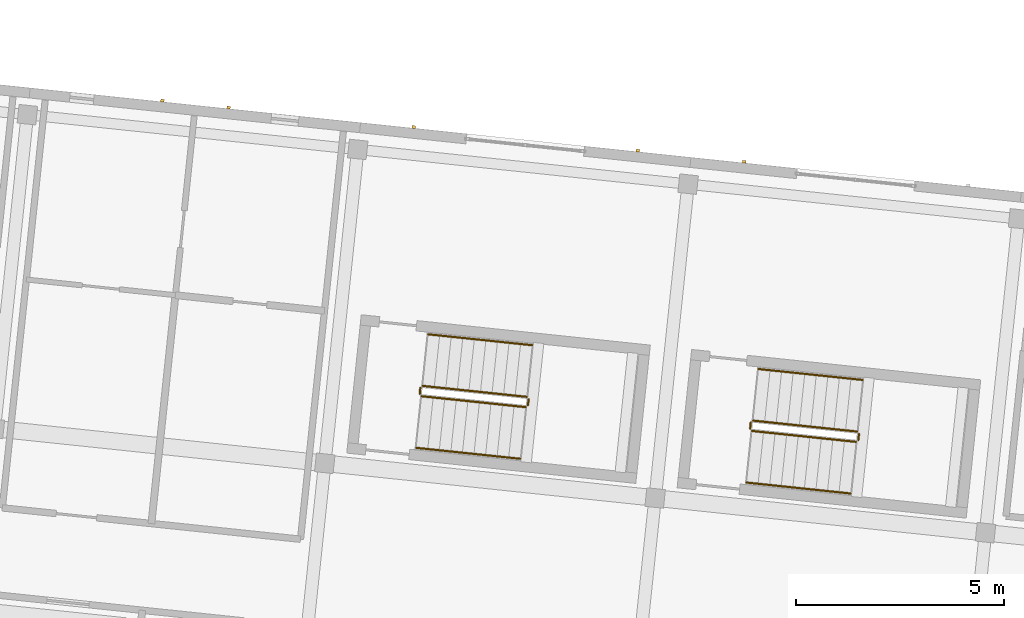
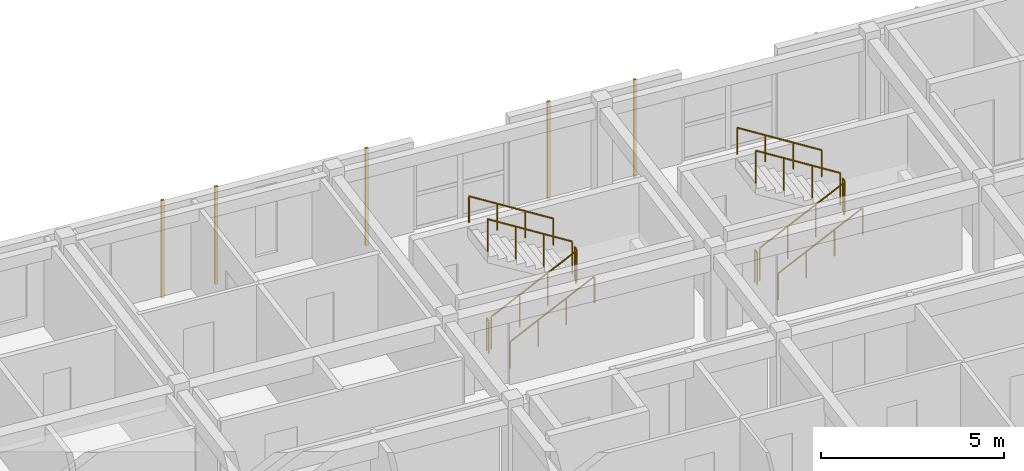
# One storey, part 55 of 56: 12 railings, 5 coverings.
"""IFC4 building model written with IfcOpenShell, lengths in metres."""

from ifc_helpers import new_model, si_unit, direction, frame, origin, origin_2d, place, context, subcontext, project, spatial, rectangle, circle, extrude, material, layer, layer_set, type_object, element, save


model = new_model("IFC4")

# Units and contexts
model_context = context("Model", 3, precision=1e-05, world=origin(), true_north=direction((0.0, 1.0)))
body_context = subcontext(model_context, "Body", "Model", "MODEL_VIEW")
ifc_project = project(units=[si_unit("LENGTHUNIT", "METRE"), si_unit("AREAUNIT", "SQUARE_METRE"), si_unit("VOLUMEUNIT", "CUBIC_METRE"), si_unit("PLANEANGLEUNIT", "RADIAN"), si_unit("MASSUNIT", "GRAM", prefix="KILO")], contexts=[model_context])

# Site, building, storey
site_placement = place(None, origin())
site = spatial("IfcSite", under=ifc_project, at=site_placement, CompositionType="ELEMENT")
building_placement = place(site_placement, origin())
building = spatial("IfcBuilding", under=site, at=building_placement, Name="Kestramere Prow Commons", CompositionType="ELEMENT")
storey_placement = place(building_placement, frame((0.0, 0.0, 27.89990234375)))
storey = spatial("IfcBuildingStorey", under=building, at=storey_placement, Name="L08", CompositionType="ELEMENT", Elevation=27.89990234375)

# Coverings
ifc_material_1 = material(Name="Weathered Zinc-Titanium Standing-Seam Cladding")
ifc_layer = layer(ifc_material_1, 0.074951171875)
ifc_layer_set = layer_set([ifc_layer], Name="Weathered Zinc-Titanium Standing-Seam Cladding")
covering_type = type_object("IfcCoveringType", Name="COV-CLAD-SEAM", PredefinedType="CLADDING", material=ifc_layer_set)
for number, where, z_axis, x_axis, name in (
    (1, (131.21435546875, 112.95947265625, -0.25), (0.0, 0.0, 1.0), (0.994521895368, -0.104528463268, 0.0), "EW-B-L08-N-2 Standing-Seam Rib 2"),
    (2, (132.8056640625, 112.792236328125, -0.25), (0.0, 0.0, 1.0), (0.994521895368, -0.104528463268, 0.0), "EW-B-L08-N-2 Standing-Seam Rib 3"),
    (3, (137.2685546875, 112.3232421875, -0.25), (0.0, 0.0, 1.0), (0.994521895368, -0.104528463268, 0.0), "EW-B-L08-NP-3-L Standing-Seam Rib 1"),
    (4, (142.663818359375, 111.756103515625, -0.25), (0.0, 0.0, 1.0), (0.994521895368, -0.104528463268, 0.0), "EW-B-L08-NP-3-R Standing-Seam Rib 1"),
    (5, (145.224609375, 111.48681640625, -0.25), (0.0, 0.0, 1.0), (0.994521895368, -0.104528463268, 0.0), "EW-B-L08-NP-4-L Standing-Seam Rib 1"),
):
    element("IfcCovering", number, at=place(storey_placement, frame(where, z_axis=z_axis, x_axis=x_axis)), inside=storey, type_object=covering_type, Name=name, PredefinedType="CLADDING", context=body_context, shape_type="SweptSolid", body=[
        extrude(rectangle(XDim=0.0849609375, YDim=0.06494140625, at=origin_2d()), origin(), (0.0, 0.0, 1.0), 3.25),
    ])

# Railings
ifc_material_2 = material(Name="Galvanised Steel S275JR", Category="steel")
railing_type_1 = type_object("IfcRailingType", Name="RL-ST-GR-1100", PredefinedType="GUARDRAIL", material=ifc_material_2)
railing_1_placement = place(storey_placement, frame((137.454345703125, 105.8408203125, 0.16259765625)))
element("IfcRailing", 6, at=railing_1_placement, inside=storey, type_object=railing_type_1, Name="L08 ST-B1 stair guard 1", PredefinedType="GUARDRAIL", context=body_context, shape_type="SweptSolid", body=[
    extrude(circle(Radius=0.02392578125, at=origin_2d()), frame((0.0, 0.0, 1.076171875), z_axis=(0.860186756994, -0.09040926464, 0.501901293044), x_axis=(0.104528455675, 0.994521896166, 0.0)), (0.0, 0.0, 1.0), 2.913818359375),
    extrude(circle(Radius=0.02099609375, at=origin_2d()), origin(), (0.0, 0.0, 1.0), 1.052001953125),
    extrude(circle(Radius=0.02099609375, at=origin_2d()), frame((0.83544921875, -0.087890625, 0.487548828125)), (0.0, 0.0, 1.0), 1.052001953125),
    extrude(circle(Radius=0.02099609375, at=origin_2d()), frame((1.6708984375, -0.175537109375, 0.974853515625)), (0.0, 0.0, 1.0), 1.052001953125),
    extrude(circle(Radius=0.02099609375, at=origin_2d()), frame((2.50634765625, -0.263427734375, 1.46240234375)), (0.0, 0.0, 1.0), 1.052001953125),
])
railing_2_placement = place(storey_placement, frame((140.015625, 105.621826171875, 1.625)))
element("IfcRailing", 7, at=railing_2_placement, inside=storey, type_object=railing_type_1, Name="L08 ST-B1 stair guard 2", PredefinedType="GUARDRAIL", context=body_context, shape_type="SweptSolid", body=[
    extrude(circle(Radius=0.02392578125, at=origin_2d()), frame((0.0, 0.0, 1.076171875), z_axis=(0.104176375855, 0.994558838236, 0.0), x_axis=(-0.994558838236, 0.104176375855, 0.0)), (0.0, 0.0, 1.0), 0.14990234375),
    extrude(circle(Radius=0.02099609375, at=origin_2d()), origin(), (0.0, 0.0, 1.0), 1.052001953125),
    extrude(circle(Radius=0.02099609375, at=origin_2d()), frame((0.015625, 0.149169921875, 0.0)), (0.0, 0.0, 1.0), 1.052001953125),
])
railing_3_placement = place(storey_placement, frame((139.98681640625, 105.825927734375, 1.78759765625)))
element("IfcRailing", 8, at=railing_3_placement, inside=storey, type_object=railing_type_1, Name="L08 ST-B1 stair guard 3", PredefinedType="GUARDRAIL", context=body_context, shape_type="SweptSolid", body=[
    extrude(circle(Radius=0.02392578125, at=origin_2d()), frame((0.0, 0.0, 1.076171875), z_axis=(-0.860164962675, 0.090415781269, 0.501937469695), x_axis=(-0.104538527394, -0.994520837534, 0.0)), (0.0, 0.0, 1.0), 2.91357421875),
    extrude(circle(Radius=0.02099609375, at=origin_2d()), origin(), (0.0, 0.0, 1.0), 1.052001953125),
    extrude(circle(Radius=0.02099609375, at=origin_2d()), frame((-0.83544921875, 0.087890625, 0.487548828125)), (0.0, 0.0, 1.0), 1.052001953125),
    extrude(circle(Radius=0.02099609375, at=origin_2d()), frame((-1.670654296875, 0.175537109375, 0.974853515625)), (0.0, 0.0, 1.0), 1.052001953125),
    extrude(circle(Radius=0.02099609375, at=origin_2d()), frame((-2.506103515625, 0.263427734375, 1.46240234375)), (0.0, 0.0, 1.0), 1.052001953125),
])
railing_4_placement = place(storey_placement, frame((137.409912109375, 105.895751953125, 0.0)))
element("IfcRailing", 9, at=railing_4_placement, inside=storey, type_object=railing_type_1, Name="L08 ST-B1 stair guard 4", PredefinedType="GUARDRAIL", context=body_context, shape_type="SweptSolid", body=[
    extrude(circle(Radius=0.02392578125, at=origin_2d()), frame((0.0, 0.0, 1.076171875), z_axis=(0.104176375855, 0.994558838236, 0.0), x_axis=(-0.994558838236, 0.104176375855, 0.0)), (0.0, 0.0, 1.0), 0.14990234375),
    extrude(circle(Radius=0.02099609375, at=origin_2d()), origin(), (0.0, 0.0, 1.0), 1.052001953125),
    extrude(circle(Radius=0.02099609375, at=origin_2d()), frame((0.015625, 0.149169921875, 0.0)), (0.0, 0.0, 1.0), 1.052001953125),
])
railing_5_placement = place(storey_placement, frame((145.41064453125, 105.00439453125, 0.16259765625)))
element("IfcRailing", 10, at=railing_5_placement, inside=storey, type_object=railing_type_1, Name="L08 ST-B2 stair guard 1", PredefinedType="GUARDRAIL", context=body_context, shape_type="SweptSolid", body=[
    extrude(circle(Radius=0.02392578125, at=origin_2d()), frame((0.0, 0.0, 1.076171875), z_axis=(0.860164962675, -0.090415781269, 0.501937469695), x_axis=(0.104538527394, 0.994520837534, 0.0)), (0.0, 0.0, 1.0), 2.91357421875),
    extrude(circle(Radius=0.02099609375, at=origin_2d()), origin(), (0.0, 0.0, 1.0), 1.052001953125),
    extrude(circle(Radius=0.02099609375, at=origin_2d()), frame((0.83544921875, -0.087890625, 0.487548828125)), (0.0, 0.0, 1.0), 1.052001953125),
    extrude(circle(Radius=0.02099609375, at=origin_2d()), frame((1.670654296875, -0.175537109375, 0.974853515625)), (0.0, 0.0, 1.0), 1.052001953125),
    extrude(circle(Radius=0.02099609375, at=origin_2d()), frame((2.506103515625, -0.263427734375, 1.46240234375)), (0.0, 0.0, 1.0), 1.052001953125),
])
railing_6_placement = place(storey_placement, frame((147.9716796875, 104.78564453125, 1.625)))
element("IfcRailing", 11, at=railing_6_placement, inside=storey, type_object=railing_type_1, Name="L08 ST-B2 stair guard 2", PredefinedType="GUARDRAIL", context=body_context, shape_type="SweptSolid", body=[
    extrude(circle(Radius=0.02392578125, at=origin_2d()), frame((0.0, 0.0, 1.076171875), z_axis=(0.105786054594, 0.994388913179, 0.0), x_axis=(-0.994388913179, 0.105786054594, 0.0)), (0.0, 0.0, 1.0), 0.14990234375),
    extrude(circle(Radius=0.02099609375, at=origin_2d()), origin(), (0.0, 0.0, 1.0), 1.052001953125),
    extrude(circle(Radius=0.02099609375, at=origin_2d()), frame((0.015869140625, 0.149169921875, 0.0)), (0.0, 0.0, 1.0), 1.052001953125),
])
railing_7_placement = place(storey_placement, frame((147.94287109375, 104.98974609375, 1.78759765625)))
element("IfcRailing", 12, at=railing_7_placement, inside=storey, type_object=railing_type_1, Name="L08 ST-B2 stair guard 3", PredefinedType="GUARDRAIL", context=body_context, shape_type="SweptSolid", body=[
    extrude(circle(Radius=0.02392578125, at=origin_2d()), frame((0.0, 0.0, 1.076171875), z_axis=(-0.860164962675, 0.090415781269, 0.501937469695), x_axis=(-0.104538527394, -0.994520837534, 0.0)), (0.0, 0.0, 1.0), 2.91357421875),
    extrude(circle(Radius=0.02099609375, at=origin_2d()), origin(), (0.0, 0.0, 1.0), 1.052001953125),
    extrude(circle(Radius=0.02099609375, at=origin_2d()), frame((-0.83544921875, 0.087890625, 0.487548828125)), (0.0, 0.0, 1.0), 1.052001953125),
    extrude(circle(Radius=0.02099609375, at=origin_2d()), frame((-1.670654296875, 0.175537109375, 0.974853515625)), (0.0, 0.0, 1.0), 1.052001953125),
    extrude(circle(Radius=0.02099609375, at=origin_2d()), frame((-2.506103515625, 0.263427734375, 1.46240234375)), (0.0, 0.0, 1.0), 1.052001953125),
])
railing_8_placement = place(storey_placement, frame((145.3662109375, 105.059326171875, 0.0)))
element("IfcRailing", 13, at=railing_8_placement, inside=storey, type_object=railing_type_1, Name="L08 ST-B2 stair guard 4", PredefinedType="GUARDRAIL", context=body_context, shape_type="SweptSolid", body=[
    extrude(circle(Radius=0.02392578125, at=origin_2d()), frame((0.0, 0.0, 1.076171875), z_axis=(0.104176375855, 0.994558838236, 0.0), x_axis=(-0.994558838236, 0.104176375855, 0.0)), (0.0, 0.0, 1.0), 0.14990234375),
    extrude(circle(Radius=0.02099609375, at=origin_2d()), origin(), (0.0, 0.0, 1.0), 1.052001953125),
    extrude(circle(Radius=0.02099609375, at=origin_2d()), frame((0.015625, 0.149169921875, 0.0)), (0.0, 0.0, 1.0), 1.052001953125),
])
ifc_material_3 = material(Name="Stainless Steel 304", Category="steel")
railing_type_2 = type_object("IfcRailingType", Name="RL-ST-HR-900", PredefinedType="HANDRAIL", material=ifc_material_3)
railing_9_placement = place(storey_placement, frame((137.32373046875, 104.59765625, 0.3251953125)))
element("IfcRailing", 14, at=railing_9_placement, inside=storey, type_object=railing_type_2, Name="L08 ST-B1 stair handrail 1", PredefinedType="HANDRAIL", context=body_context, shape_type="SweptSolid", body=[
    extrude(circle(Radius=0.02392578125, at=origin_2d()), frame((0.0, 0.0, 0.8759765625), z_axis=(0.860186756994, -0.09040926464, 0.501901293044), x_axis=(0.104528455675, 0.994521896166, 0.0)), (0.0, 0.0, 1.0), 2.913818359375),
    extrude(circle(Radius=0.02099609375, at=origin_2d()), origin(), (0.0, 0.0, 1.0), 0.851806640625),
    extrude(circle(Radius=0.02099609375, at=origin_2d()), frame((0.83544921875, -0.087890625, 0.487548828125)), (0.0, 0.0, 1.0), 0.851806640625),
    extrude(circle(Radius=0.02099609375, at=origin_2d()), frame((1.6708984375, -0.175537109375, 0.974853515625)), (0.0, 0.0, 1.0), 0.851806640625),
    extrude(circle(Radius=0.02099609375, at=origin_2d()), frame((2.50634765625, -0.263427734375, 1.46240234375)), (0.0, 0.0, 1.0), 0.851806640625),
])
railing_10_placement = place(storey_placement, frame((140.117431640625, 107.069091796875, 1.9501953125)))
element("IfcRailing", 15, at=railing_10_placement, inside=storey, type_object=railing_type_2, Name="L08 ST-B1 stair handrail 2", PredefinedType="HANDRAIL", context=body_context, shape_type="SweptSolid", body=[
    extrude(circle(Radius=0.02392578125, at=origin_2d()), frame((0.0, 0.0, 0.8759765625), z_axis=(-0.860164962675, 0.090415781269, 0.501937469695), x_axis=(-0.104538527394, -0.994520837534, 0.0)), (0.0, 0.0, 1.0), 2.91357421875),
    extrude(circle(Radius=0.02099609375, at=origin_2d()), origin(), (0.0, 0.0, 1.0), 0.851806640625),
    extrude(circle(Radius=0.02099609375, at=origin_2d()), frame((-0.83544921875, 0.087890625, 0.487548828125)), (0.0, 0.0, 1.0), 0.851806640625),
    extrude(circle(Radius=0.02099609375, at=origin_2d()), frame((-1.670654296875, 0.175537109375, 0.974853515625)), (0.0, 0.0, 1.0), 0.851806640625),
    extrude(circle(Radius=0.02099609375, at=origin_2d()), frame((-2.506103515625, 0.263427734375, 1.46240234375)), (0.0, 0.0, 1.0), 0.851806640625),
])
railing_11_placement = place(storey_placement, frame((145.280029296875, 103.76123046875, 0.3251953125)))
element("IfcRailing", 16, at=railing_11_placement, inside=storey, type_object=railing_type_2, Name="L08 ST-B2 stair handrail 1", PredefinedType="HANDRAIL", context=body_context, shape_type="SweptSolid", body=[
    extrude(circle(Radius=0.02392578125, at=origin_2d()), frame((0.0, 0.0, 0.8759765625), z_axis=(0.860164962675, -0.090415781269, 0.501937469695), x_axis=(0.104538527394, 0.994520837534, 0.0)), (0.0, 0.0, 1.0), 2.91357421875),
    extrude(circle(Radius=0.02099609375, at=origin_2d()), origin(), (0.0, 0.0, 1.0), 0.851806640625),
    extrude(circle(Radius=0.02099609375, at=origin_2d()), frame((0.83544921875, -0.087890625, 0.487548828125)), (0.0, 0.0, 1.0), 0.851806640625),
    extrude(circle(Radius=0.02099609375, at=origin_2d()), frame((1.670654296875, -0.175537109375, 0.974853515625)), (0.0, 0.0, 1.0), 0.851806640625),
    extrude(circle(Radius=0.02099609375, at=origin_2d()), frame((2.506103515625, -0.263427734375, 1.46240234375)), (0.0, 0.0, 1.0), 0.851806640625),
])
railing_12_placement = place(storey_placement, frame((148.07373046875, 106.23291015625, 1.9501953125)))
element("IfcRailing", 17, at=railing_12_placement, inside=storey, type_object=railing_type_2, Name="L08 ST-B2 stair handrail 2", PredefinedType="HANDRAIL", context=body_context, shape_type="SweptSolid", body=[
    extrude(circle(Radius=0.02392578125, at=origin_2d()), frame((0.0, 0.0, 0.8759765625), z_axis=(-0.860186756994, 0.09040926464, 0.501901293044), x_axis=(-0.104528455675, -0.994521896166, 0.0)), (0.0, 0.0, 1.0), 2.913818359375),
    extrude(circle(Radius=0.02099609375, at=origin_2d()), origin(), (0.0, 0.0, 1.0), 0.851806640625),
    extrude(circle(Radius=0.02099609375, at=origin_2d()), frame((-0.83544921875, 0.087890625, 0.487548828125)), (0.0, 0.0, 1.0), 0.851806640625),
    extrude(circle(Radius=0.02099609375, at=origin_2d()), frame((-1.6708984375, 0.175537109375, 0.974853515625)), (0.0, 0.0, 1.0), 0.851806640625),
    extrude(circle(Radius=0.02099609375, at=origin_2d()), frame((-2.50634765625, 0.263427734375, 1.46240234375)), (0.0, 0.0, 1.0), 0.851806640625),
])

save(model, "model.ifc")
